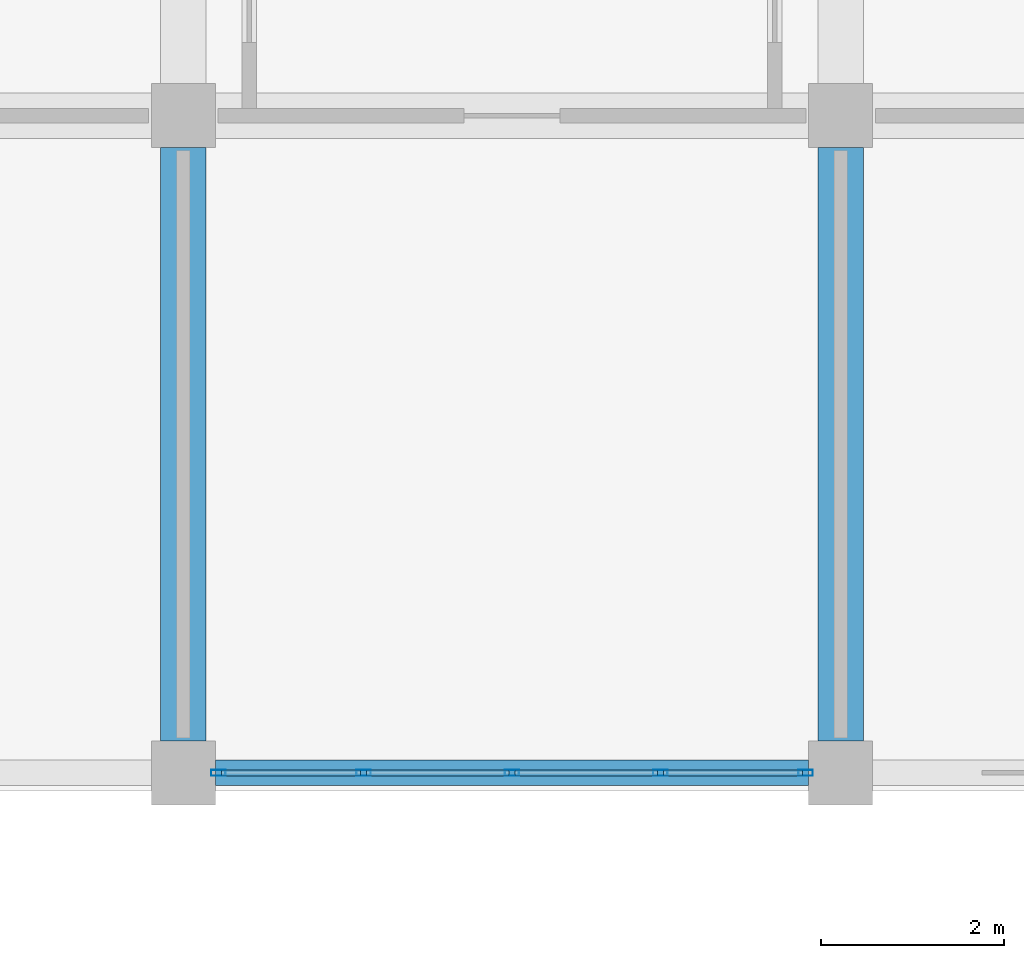
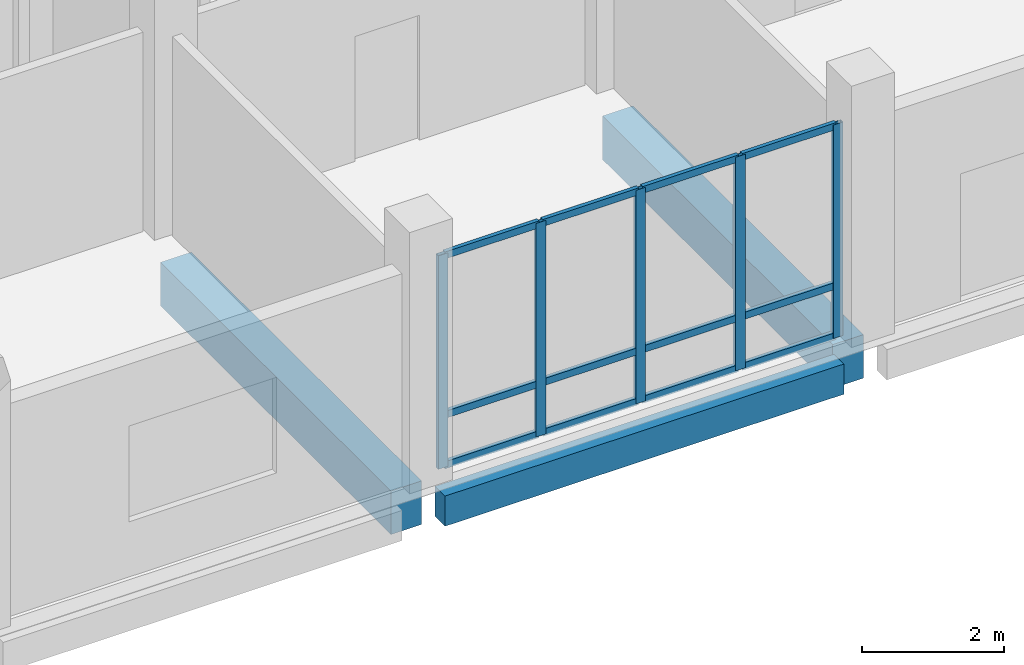
# One storey, part 23 of 139: 17 members, 3 beams, 1 element without a shape of its own.
"""IFC4 building model written with IfcOpenShell, lengths in metres."""

from ifc_helpers import new_model, si_unit, direction, frame, origin, origin_2d, place, context, subcontext, project, spatial, rectangle, hollow_rectangle, extrude, material, material_profile, profile_set, type_object, element, aggregate, save


model = new_model("IFC4")

# Units and contexts
model_context = context("Model", 3, precision=1e-05, world=origin(), true_north=direction((0.0, 1.0)))
body_context = subcontext(model_context, "Body", "Model", "MODEL_VIEW")
ifc_project = project(units=[si_unit("LENGTHUNIT", "METRE"), si_unit("AREAUNIT", "SQUARE_METRE"), si_unit("VOLUMEUNIT", "CUBIC_METRE"), si_unit("PLANEANGLEUNIT", "RADIAN"), si_unit("MASSUNIT", "GRAM", prefix="KILO")], contexts=[model_context])

# Site, building, storey
site_placement = place(None, origin())
site = spatial("IfcSite", under=ifc_project, at=site_placement, CompositionType="ELEMENT")
building_placement = place(site_placement, origin())
building = spatial("IfcBuilding", under=site, at=building_placement, Name="Suanplinth Sawtooth Commons", CompositionType="ELEMENT")
storey_placement = place(building_placement, origin())
storey = spatial("IfcBuildingStorey", under=building, at=storey_placement, Name="L00", CompositionType="ELEMENT", Elevation=0.0)

# Beams
ifc_material_1 = material(Name="Concrete C40/50", Category="concrete")
ifc_material_profile_1 = material_profile(ifc_material_1, rectangle(XDim=0.5, YDim=0.75, at=origin_2d()), Name="RC-GDR 500x750")
ifc_profile_set_1 = profile_set([ifc_material_profile_1], Name="Concrete C40/50")
beam_type_1 = type_object("IfcBeamType", Name="B-03", PredefinedType="USERDEFINED", material=ifc_profile_set_1)
for number, where, z_axis, x_axis, name in (
    (1, (36.0, 0.35009765625, -0.784912109375), (0.0, 1.0, 0.0), (-1.0, 0.0, 0.0), "BMY-L00-D-5-0"),
    (2, (43.199951171875, 0.35009765625, -0.784912109375), (0.0, 1.0, 0.0), (-1.0, 0.0, 0.0), "BMY-L00-D-6-0"),
):
    element("IfcBeam", number, at=place(storey_placement, frame(where, z_axis=z_axis, x_axis=x_axis)), inside=storey, type_object=beam_type_1, Name=name, ObjectType="GIRDER", PredefinedType="USERDEFINED", context=body_context, shape_type="SweptSolid", body=[
        extrude(rectangle(XDim=0.5, YDim=0.75, at=origin_2d()), origin(), (0.0, 0.0, 1.0), 6.5),
    ])
ifc_material_2 = material(Name="Precast concrete C40/50", Category="concrete")
ifc_material_profile_2 = material_profile(ifc_material_2, rectangle(XDim=0.280029296875, YDim=0.52001953125, at=origin_2d()), Name="PC-SP 280x520")
ifc_profile_set_2 = profile_set([ifc_material_profile_2], Name="Precast concrete C40/50")
beam_type_2 = type_object("IfcBeamType", Name="B-08", PredefinedType="SPANDREL", material=ifc_profile_set_2)
beam_placement = place(storey_placement, frame((36.35009765625, 0.0, -0.669921875), z_axis=(1.0, 0.0, 0.0), x_axis=(0.0, 1.0, 0.0)))
element("IfcBeam", 3, at=beam_placement, inside=storey, type_object=beam_type_2, Name="BMX-L00-D-5-0", PredefinedType="SPANDREL", context=body_context, shape_type="SweptSolid", body=[
    extrude(rectangle(XDim=0.280029296875, YDim=0.52001953125, at=origin_2d()), origin(), (0.0, 0.0, 1.0), 6.5),
])

# Curtain wall, members
ifc_material_3 = material(Name="Anodized aluminium and low-E glazing", Category="aluminium")
curtain_wall_type = type_object("IfcCurtainWallType", Name="CW-04", PredefinedType="USERDEFINED", material=ifc_material_3)
curtain_wall_placement = place(storey_placement, origin())
curtain_wall = element("IfcCurtainWall", 4, at=curtain_wall_placement, inside=storey, type_object=curtain_wall_type, Name="Curtain Wall CW-L00-D-S-5", ObjectType="CURTAIN WALL", PredefinedType="USERDEFINED")
ifc_material_4 = material(Name="Anodized aluminium 6063-T6", Category="aluminium")
ifc_material_profile_3 = material_profile(ifc_material_4, hollow_rectangle(XDim=0.06494140625, YDim=0.159912109375, WallThickness=0.00390625, at=origin_2d()), Name="ALU-MUL 65x160")
ifc_profile_set_3 = profile_set([ifc_material_profile_3], Name="Anodized aluminium 6063-T6")
member_type_1 = type_object("IfcMemberType", Name="M-13", PredefinedType="MULLION", material=ifc_profile_set_3)
member_1_placement = place(storey_placement, frame((36.382568359375, 0.0, 0.0), z_axis=(0.0, 0.0, 1.0), x_axis=(0.0, 1.0, 0.0)))
member_1 = element("IfcMember", 5, at=member_1_placement, type_object=member_type_1, Name="CW-04 mullion 1", PredefinedType="MULLION", context=body_context, shape_type="SweptSolid", body=[
    extrude(hollow_rectangle(XDim=0.06494140625, YDim=0.159912109375, WallThickness=0.00390625, at=origin_2d()), origin(), (0.0, 0.0, 1.0), 3.679931640625),
])
member_2_placement = place(storey_placement, frame((37.97509765625, 0.0, 0.0), z_axis=(0.0, 0.0, 1.0), x_axis=(0.0, 1.0, 0.0)))
member_2 = element("IfcMember", 6, at=member_2_placement, type_object=member_type_1, Name="CW-04 mullion 2", PredefinedType="MULLION", context=body_context, shape_type="SweptSolid", body=[
    extrude(hollow_rectangle(XDim=0.06494140625, YDim=0.159912109375, WallThickness=0.00390625, at=origin_2d()), origin(), (0.0, 0.0, 1.0), 3.679931640625),
])
member_3_placement = place(storey_placement, frame((39.60009765625, 0.0, 0.0), z_axis=(0.0, 0.0, 1.0), x_axis=(0.0, 1.0, 0.0)))
member_3 = element("IfcMember", 7, at=member_3_placement, type_object=member_type_1, Name="CW-04 mullion 3", PredefinedType="MULLION", context=body_context, shape_type="SweptSolid", body=[
    extrude(hollow_rectangle(XDim=0.06494140625, YDim=0.159912109375, WallThickness=0.00390625, at=origin_2d()), origin(), (0.0, 0.0, 1.0), 3.679931640625),
])
member_4_placement = place(storey_placement, frame((41.22509765625, 0.0, 0.0), z_axis=(0.0, 0.0, 1.0), x_axis=(0.0, 1.0, 0.0)))
member_4 = element("IfcMember", 8, at=member_4_placement, type_object=member_type_1, Name="CW-04 mullion 4", PredefinedType="MULLION", context=body_context, shape_type="SweptSolid", body=[
    extrude(hollow_rectangle(XDim=0.06494140625, YDim=0.159912109375, WallThickness=0.00390625, at=origin_2d()), origin(), (0.0, 0.0, 1.0), 3.679931640625),
])
member_5_placement = place(storey_placement, frame((42.8173828125, 0.0, 0.0), z_axis=(0.0, 0.0, 1.0), x_axis=(0.0, 1.0, 0.0)))
member_5 = element("IfcMember", 9, at=member_5_placement, type_object=member_type_1, Name="CW-04 mullion 5", PredefinedType="MULLION", context=body_context, shape_type="SweptSolid", body=[
    extrude(hollow_rectangle(XDim=0.06494140625, YDim=0.159912109375, WallThickness=0.00390625, at=origin_2d()), origin(), (0.0, 0.0, 1.0), 3.679931640625),
])
ifc_material_profile_4 = material_profile(ifc_material_4, hollow_rectangle(XDim=0.06494140625, YDim=0.1201171875, WallThickness=0.00390625, at=origin_2d()), Name="ALU-TRN 65x120")
ifc_profile_set_4 = profile_set([ifc_material_profile_4], Name="Anodized aluminium 6063-T6")
member_type_2 = type_object("IfcMemberType", Name="M-15", PredefinedType="USERDEFINED", material=ifc_profile_set_4)
member_6_placement = place(storey_placement, frame((36.4150390625, 0.0, 0.032470703125), z_axis=(1.0, 0.0, 0.0), x_axis=(0.0, 1.0, 0.0)))
member_6 = element("IfcMember", 10, at=member_6_placement, type_object=member_type_2, Name="CW-04 transom 1.1", ObjectType="TRANSOM", PredefinedType="USERDEFINED", context=body_context, shape_type="SweptSolid", body=[
    extrude(hollow_rectangle(XDim=0.06494140625, YDim=0.1201171875, WallThickness=0.00390625, at=origin_2d()), origin(), (0.0, 0.0, 1.0), 1.52734375),
])
member_7_placement = place(storey_placement, frame((36.4150390625, 0.0, 0.89990234375), z_axis=(1.0, 0.0, 0.0), x_axis=(0.0, 1.0, 0.0)))
member_7 = element("IfcMember", 11, at=member_7_placement, type_object=member_type_2, Name="CW-04 transom 1.2", ObjectType="TRANSOM", PredefinedType="USERDEFINED", context=body_context, shape_type="SweptSolid", body=[
    extrude(hollow_rectangle(XDim=0.06494140625, YDim=0.1201171875, WallThickness=0.00390625, at=origin_2d()), origin(), (0.0, 0.0, 1.0), 1.52734375),
])
member_8_placement = place(storey_placement, frame((36.4150390625, 0.0, 3.6474609375), z_axis=(1.0, 0.0, 0.0), x_axis=(0.0, 1.0, 0.0)))
member_8 = element("IfcMember", 12, at=member_8_placement, type_object=member_type_2, Name="CW-04 transom 1.3", ObjectType="TRANSOM", PredefinedType="USERDEFINED", context=body_context, shape_type="SweptSolid", body=[
    extrude(hollow_rectangle(XDim=0.06494140625, YDim=0.1201171875, WallThickness=0.00390625, at=origin_2d()), origin(), (0.0, 0.0, 1.0), 1.52734375),
])
member_9_placement = place(storey_placement, frame((38.007568359375, 0.0, 0.032470703125), z_axis=(1.0, 0.0, 0.0), x_axis=(0.0, 1.0, 0.0)))
member_9 = element("IfcMember", 13, at=member_9_placement, type_object=member_type_2, Name="CW-04 transom 2.1", ObjectType="TRANSOM", PredefinedType="USERDEFINED", context=body_context, shape_type="SweptSolid", body=[
    extrude(hollow_rectangle(XDim=0.06494140625, YDim=0.1201171875, WallThickness=0.00390625, at=origin_2d()), origin(), (0.0, 0.0, 1.0), 1.559814453125),
])
member_10_placement = place(storey_placement, frame((38.007568359375, 0.0, 0.89990234375), z_axis=(1.0, 0.0, 0.0), x_axis=(0.0, 1.0, 0.0)))
member_10 = element("IfcMember", 14, at=member_10_placement, type_object=member_type_2, Name="CW-04 transom 2.2", ObjectType="TRANSOM", PredefinedType="USERDEFINED", context=body_context, shape_type="SweptSolid", body=[
    extrude(hollow_rectangle(XDim=0.06494140625, YDim=0.1201171875, WallThickness=0.00390625, at=origin_2d()), origin(), (0.0, 0.0, 1.0), 1.559814453125),
])
member_11_placement = place(storey_placement, frame((38.007568359375, 0.0, 3.6474609375), z_axis=(1.0, 0.0, 0.0), x_axis=(0.0, 1.0, 0.0)))
member_11 = element("IfcMember", 15, at=member_11_placement, type_object=member_type_2, Name="CW-04 transom 2.3", ObjectType="TRANSOM", PredefinedType="USERDEFINED", context=body_context, shape_type="SweptSolid", body=[
    extrude(hollow_rectangle(XDim=0.06494140625, YDim=0.1201171875, WallThickness=0.00390625, at=origin_2d()), origin(), (0.0, 0.0, 1.0), 1.559814453125),
])
member_12_placement = place(storey_placement, frame((39.632568359375, 0.0, 0.032470703125), z_axis=(1.0, 0.0, 0.0), x_axis=(0.0, 1.0, 0.0)))
member_12 = element("IfcMember", 16, at=member_12_placement, type_object=member_type_2, Name="CW-04 transom 3.1", ObjectType="TRANSOM", PredefinedType="USERDEFINED", context=body_context, shape_type="SweptSolid", body=[
    extrude(hollow_rectangle(XDim=0.06494140625, YDim=0.1201171875, WallThickness=0.00390625, at=origin_2d()), origin(), (0.0, 0.0, 1.0), 1.559814453125),
])
member_13_placement = place(storey_placement, frame((39.632568359375, 0.0, 0.89990234375), z_axis=(1.0, 0.0, 0.0), x_axis=(0.0, 1.0, 0.0)))
member_13 = element("IfcMember", 17, at=member_13_placement, type_object=member_type_2, Name="CW-04 transom 3.2", ObjectType="TRANSOM", PredefinedType="USERDEFINED", context=body_context, shape_type="SweptSolid", body=[
    extrude(hollow_rectangle(XDim=0.06494140625, YDim=0.1201171875, WallThickness=0.00390625, at=origin_2d()), origin(), (0.0, 0.0, 1.0), 1.559814453125),
])
member_14_placement = place(storey_placement, frame((39.632568359375, 0.0, 3.6474609375), z_axis=(1.0, 0.0, 0.0), x_axis=(0.0, 1.0, 0.0)))
member_14 = element("IfcMember", 18, at=member_14_placement, type_object=member_type_2, Name="CW-04 transom 3.3", ObjectType="TRANSOM", PredefinedType="USERDEFINED", context=body_context, shape_type="SweptSolid", body=[
    extrude(hollow_rectangle(XDim=0.06494140625, YDim=0.1201171875, WallThickness=0.00390625, at=origin_2d()), origin(), (0.0, 0.0, 1.0), 1.559814453125),
])
member_15_placement = place(storey_placement, frame((41.257568359375, 0.0, 0.032470703125), z_axis=(1.0, 0.0, 0.0), x_axis=(0.0, 1.0, 0.0)))
member_15 = element("IfcMember", 19, at=member_15_placement, type_object=member_type_2, Name="CW-04 transom 4.1", ObjectType="TRANSOM", PredefinedType="USERDEFINED", context=body_context, shape_type="SweptSolid", body=[
    extrude(hollow_rectangle(XDim=0.06494140625, YDim=0.1201171875, WallThickness=0.00390625, at=origin_2d()), origin(), (0.0, 0.0, 1.0), 1.52734375),
])
member_16_placement = place(storey_placement, frame((41.257568359375, 0.0, 0.89990234375), z_axis=(1.0, 0.0, 0.0), x_axis=(0.0, 1.0, 0.0)))
member_16 = element("IfcMember", 20, at=member_16_placement, type_object=member_type_2, Name="CW-04 transom 4.2", ObjectType="TRANSOM", PredefinedType="USERDEFINED", context=body_context, shape_type="SweptSolid", body=[
    extrude(hollow_rectangle(XDim=0.06494140625, YDim=0.1201171875, WallThickness=0.00390625, at=origin_2d()), origin(), (0.0, 0.0, 1.0), 1.52734375),
])
member_17_placement = place(storey_placement, frame((41.257568359375, 0.0, 3.6474609375), z_axis=(1.0, 0.0, 0.0), x_axis=(0.0, 1.0, 0.0)))
member_17 = element("IfcMember", 21, at=member_17_placement, type_object=member_type_2, Name="CW-04 transom 4.3", ObjectType="TRANSOM", PredefinedType="USERDEFINED", context=body_context, shape_type="SweptSolid", body=[
    extrude(hollow_rectangle(XDim=0.06494140625, YDim=0.1201171875, WallThickness=0.00390625, at=origin_2d()), origin(), (0.0, 0.0, 1.0), 1.52734375),
])
aggregate(curtain_wall, [member_1, member_2, member_3, member_4, member_5, member_6, member_7, member_8, member_9, member_10, member_11, member_12, member_13, member_14, member_15, member_16, member_17])

save(model, "model.ifc")
